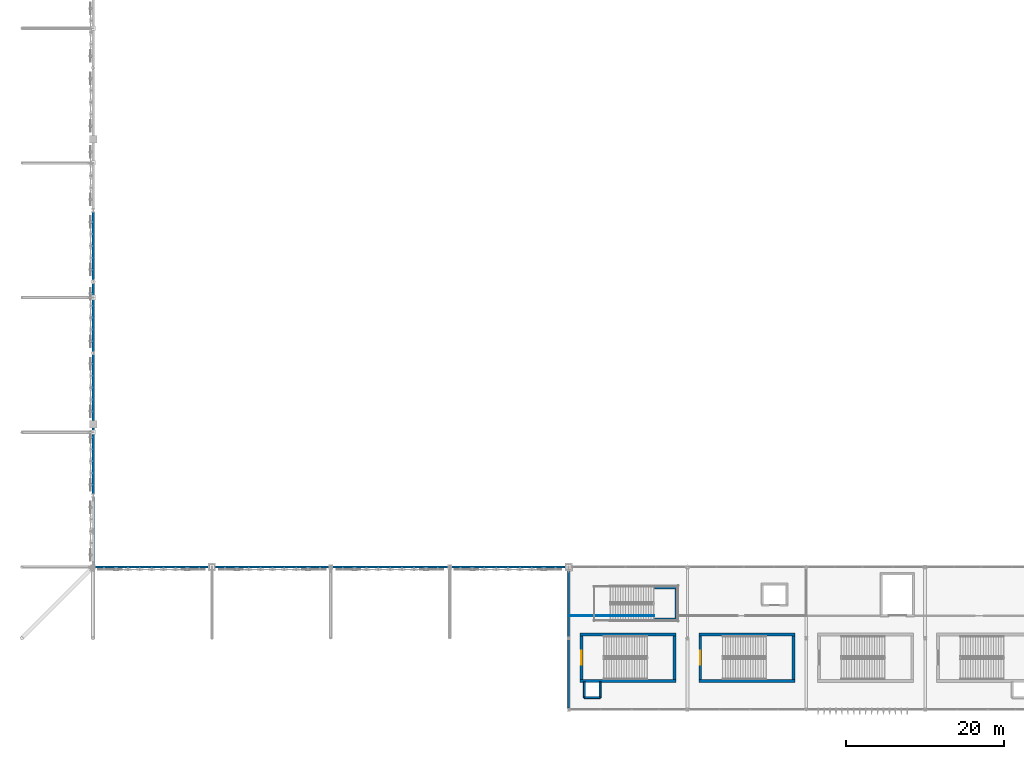
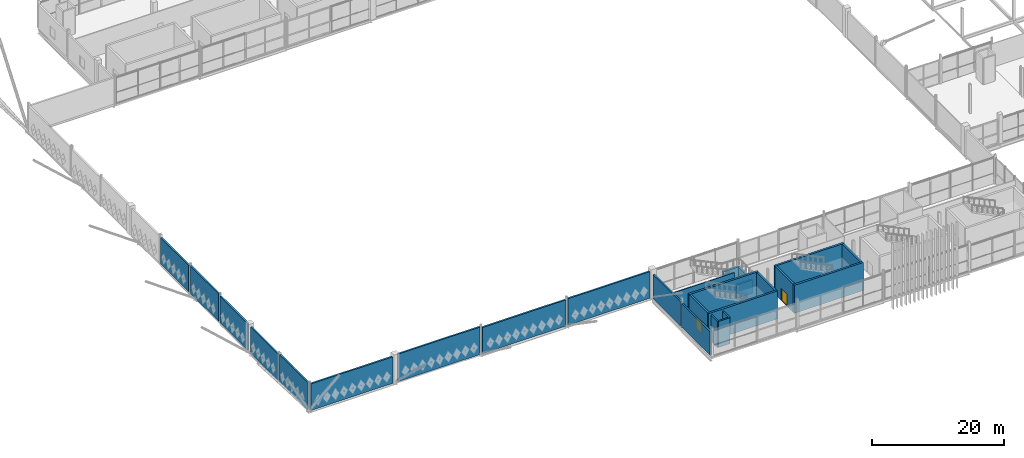
# One storey, part 86 of 119: 26 walls, 2 doors, 2 openings.
"""IFC4 building model written with IfcOpenShell, lengths in metres."""

from ifc_helpers import new_model, si_unit, direction, frame, frame_2d, origin, place, context, subcontext, project, spatial, rectangle, extrude, material, layer, layer_set, type_object, element, fill, save


model = new_model("IFC4")

# Units and contexts
model_context = context("Model", 3, precision=1e-05, world=origin(), true_north=direction((0.0, 1.0)))
body_context = subcontext(model_context, "Body", "Model", "MODEL_VIEW")
ifc_project = project(units=[si_unit("LENGTHUNIT", "METRE"), si_unit("AREAUNIT", "SQUARE_METRE"), si_unit("VOLUMEUNIT", "CUBIC_METRE"), si_unit("PLANEANGLEUNIT", "RADIAN"), si_unit("MASSUNIT", "GRAM", prefix="KILO")], contexts=[model_context])

# Site, building, storey
site_placement = place(None, origin())
site = spatial("IfcSite", under=ifc_project, at=site_placement, CompositionType="ELEMENT")
building_placement = place(site_placement, origin())
building = spatial("IfcBuilding", under=site, at=building_placement, Name="Qamarlyn Nura Convention Centre", CompositionType="ELEMENT")
storey_placement = place(building_placement, frame((0.0, 0.0, 5.39990234375)))
storey = spatial("IfcBuildingStorey", under=building, at=storey_placement, Name="L01", CompositionType="ELEMENT", Elevation=5.39990234375)

# Walls
ifc_material_1 = material(Name="Concrete C50/60", Category="concrete")
ifc_layer_1 = layer(ifc_material_1, 0.35009765625, Name="WT-CORE-350")
ifc_layer_set_1 = layer_set([ifc_layer_1], Name="Concrete C50/60")
wall_type_1 = type_object("IfcWallType", Name="WT-CORE-350", PredefinedType="SHEAR", material=ifc_layer_set_1)
for number, where, z_axis, x_axis, name in (
    (1, (61.449951171875, 3.625, 0.0), (0.0, 0.0, 1.0), (1.0, 0.0, 0.0), "L01 stair core shear wall ST-05-S"),
    (2, (73.550048828125, 9.47509765625, 0.0), (0.0, 0.0, 1.0), (-1.0, 0.0, 0.0), "L01 stair core shear wall ST-05-N"),
):
    element("IfcWall", number, at=place(storey_placement, frame(where, z_axis=z_axis, x_axis=x_axis)), inside=storey, type_object=wall_type_1, Name=name, PredefinedType="SHEAR", context=body_context, shape_type="SweptSolid", body=[
        extrude(rectangle(XDim=12.10009765625, YDim=0.35009765625, at=frame_2d((6.050048828125, 0.0))), origin(), (0.0, 0.0, 1.0), 5.18017578125),
    ])

# Wall, opening, door
wall_1_placement = place(storey_placement, frame((61.625, 9.300048828125, 0.0), z_axis=(0.0, 0.0, 1.0), x_axis=(0.0, -1.0, 0.0)))
wall_1 = element("IfcWall", 3, at=wall_1_placement, inside=storey, type_object=wall_type_1, Name="L01 stair core shear wall ST-05-W", PredefinedType="SHEAR", context=body_context, shape_type="SweptSolid", body=[
    extrude(rectangle(XDim=5.5, YDim=0.35009765625, at=frame_2d((2.75, 0.0))), origin(), (0.0, 0.0, 1.0), 5.18017578125),
])
opening_1_placement = place(wall_1_placement, frame((1.85009765625, 0.0, 0.0)))
opening_1 = element("IfcOpeningElement", 4, at=opening_1_placement, cuts=wall_1, Name="Opening DS-015", PredefinedType="OPENING", context=body_context, shape_type="SweptSolid", body=[
    extrude(rectangle(XDim=1.800048828125, YDim=2.199951171875, at=frame_2d((0.89990234375, 1.10009765625))), frame((0.0, 0.18505859375, 0.0), z_axis=(0.0, -1.0, 0.0), x_axis=(1.0, 0.0, 0.0)), (0.0, 0.0, 1.0), 0.3701171875),
])
ifc_material_2 = material(Name="Galvanised fire-rated hollow steel door", Category="steel")
door_type = type_object("IfcDoorType", Name="DR-STAIR-1800", OperationType="DOUBLE_DOOR_SINGLE_SWING", PredefinedType="DOOR", material=ifc_material_2)
door_1_placement = place(opening_1_placement, origin())
door_1 = element("IfcDoor", 5, at=door_1_placement, inside=storey, type_object=door_type, Name="L01 exit stair door ST-05 (DS-015)", OperationType="DOUBLE_DOOR_SINGLE_SWING", OverallHeight=2.199951171875, OverallWidth=1.800048828125, PredefinedType="DOOR", context=body_context, shape_type="SweptSolid", body=[
    extrude(rectangle(XDim=1.800048828125, YDim=2.199951171875, at=frame_2d((0.89990234375, 1.10009765625))), frame((0.0, 0.02490234375, 0.0), z_axis=(0.0, -1.0, 0.0), x_axis=(1.0, 0.0, 0.0)), (0.0, 0.0, 1.0), 0.050048828125),
])
fill(opening_1, door_1)

# Walls
wall_2_placement = place(storey_placement, frame((73.375, 3.800048828125, 0.0), z_axis=(0.0, 0.0, 1.0), x_axis=(0.0, 1.0, 0.0)))
element("IfcWall", 6, at=wall_2_placement, inside=storey, type_object=wall_type_1, Name="L01 stair core shear wall ST-05-E", PredefinedType="SHEAR", context=body_context, shape_type="SweptSolid", body=[
    extrude(rectangle(XDim=5.5, YDim=0.35009765625, at=frame_2d((2.75, 0.0))), origin(), (0.0, 0.0, 1.0), 5.18017578125),
])
for number, where, z_axis, x_axis, name in (
    (7, (76.449951171875, 3.625, 0.0), (0.0, 0.0, 1.0), (1.0, 0.0, 0.0), "L01 stair core shear wall ST-06-S"),
    (8, (88.550048828125, 9.47509765625, 0.0), (0.0, 0.0, 1.0), (-1.0, 0.0, 0.0), "L01 stair core shear wall ST-06-N"),
):
    element("IfcWall", number, at=place(storey_placement, frame(where, z_axis=z_axis, x_axis=x_axis)), inside=storey, type_object=wall_type_1, Name=name, PredefinedType="SHEAR", context=body_context, shape_type="SweptSolid", body=[
        extrude(rectangle(XDim=12.10009765625, YDim=0.35009765625, at=frame_2d((6.050048828125, 0.0))), origin(), (0.0, 0.0, 1.0), 5.18017578125),
    ])

# Wall, opening, door
wall_3_placement = place(storey_placement, frame((76.625, 9.300048828125, 0.0), z_axis=(0.0, 0.0, 1.0), x_axis=(0.0, -1.0, 0.0)))
wall_3 = element("IfcWall", 9, at=wall_3_placement, inside=storey, type_object=wall_type_1, Name="L01 stair core shear wall ST-06-W", PredefinedType="SHEAR", context=body_context, shape_type="SweptSolid", body=[
    extrude(rectangle(XDim=5.5, YDim=0.35009765625, at=frame_2d((2.75, 0.0))), origin(), (0.0, 0.0, 1.0), 5.18017578125),
])
opening_2_placement = place(wall_3_placement, frame((1.85009765625, 0.0, 0.0)))
opening_2 = element("IfcOpeningElement", 10, at=opening_2_placement, cuts=wall_3, Name="Opening DS-019", PredefinedType="OPENING", context=body_context, shape_type="SweptSolid", body=[
    extrude(rectangle(XDim=1.800048828125, YDim=2.199951171875, at=frame_2d((0.89990234375, 1.10009765625))), frame((0.0, 0.18505859375, 0.0), z_axis=(0.0, -1.0, 0.0), x_axis=(1.0, 0.0, 0.0)), (0.0, 0.0, 1.0), 0.3701171875),
])
door_2_placement = place(opening_2_placement, origin())
door_2 = element("IfcDoor", 11, at=door_2_placement, inside=storey, type_object=door_type, Name="L01 exit stair door ST-06 (DS-019)", OperationType="DOUBLE_DOOR_SINGLE_SWING", OverallHeight=2.199951171875, OverallWidth=1.800048828125, PredefinedType="DOOR", context=body_context, shape_type="SweptSolid", body=[
    extrude(rectangle(XDim=1.800048828125, YDim=2.199951171875, at=frame_2d((0.89990234375, 1.10009765625))), frame((0.0, 0.02490234375, 0.0), z_axis=(0.0, -1.0, 0.0), x_axis=(1.0, 0.0, 0.0)), (0.0, 0.0, 1.0), 0.050048828125),
])
fill(opening_2, door_2)

# Walls
wall_4_placement = place(storey_placement, frame((88.375, 3.800048828125, 0.0), z_axis=(0.0, 0.0, 1.0), x_axis=(0.0, 1.0, 0.0)))
element("IfcWall", 12, at=wall_4_placement, inside=storey, type_object=wall_type_1, Name="L01 stair core shear wall ST-06-E", PredefinedType="SHEAR", context=body_context, shape_type="SweptSolid", body=[
    extrude(rectangle(XDim=5.5, YDim=0.35009765625, at=frame_2d((2.75, 0.0))), origin(), (0.0, 0.0, 1.0), 5.18017578125),
])
for number, where, z_axis, x_axis, name in (
    (13, (70.820068359375, 11.39990234375, 0.0), (0.0, 0.0, 1.0), (1.0, 0.0, 0.0), "L01 feature stair support fin wall ST-19-1"),
    (14, (70.820068359375, 15.3798828125, 0.0), (0.0, 0.0, 1.0), (1.0, 0.0, 0.0), "L01 feature stair support fin wall ST-19-2"),
):
    element("IfcWall", number, at=place(storey_placement, frame(where, z_axis=z_axis, x_axis=x_axis)), inside=storey, type_object=wall_type_1, Name=name, PredefinedType="SHEAR", context=body_context, shape_type="SweptSolid", body=[
        extrude(rectangle(XDim=2.800048828125, YDim=0.35009765625, at=frame_2d((1.39990234375, 0.0))), origin(), (0.0, 0.0, 1.0), 2.5),
    ])
wall_5_placement = place(storey_placement, frame((73.6201171875, 11.39990234375, 0.0), z_axis=(0.0, 0.0, 1.0), x_axis=(0.0, 1.0, 0.0)))
element("IfcWall", 15, at=wall_5_placement, inside=storey, type_object=wall_type_1, Name="L01 feature stair support fin wall ST-19-3", PredefinedType="SHEAR", context=body_context, shape_type="SweptSolid", body=[
    extrude(rectangle(XDim=3.97998046875, YDim=0.35009765625, at=frame_2d((1.989990234375, 0.0))), origin(), (0.0, 0.0, 1.0), 2.5),
])
ifc_material_3 = material(Name="Concrete C40/50", Category="concrete")
ifc_layer_2 = layer(ifc_material_3, 0.280029296875, Name="WT-EXT-280")
ifc_layer_set_2 = layer_set([ifc_layer_2], Name="Concrete C40/50")
wall_type_2 = type_object("IfcWallType", Name="WT-EXT-280", PredefinedType="SOLIDWALL", material=ifc_layer_set_2)
wall_6_placement = place(storey_placement, frame((60.0, 0.18603515625, 0.0), z_axis=(0.0, 0.0, 1.0), x_axis=(0.0, 1.0, 0.0)))
element("IfcWall", 16, at=wall_6_placement, inside=storey, type_object=wall_type_2, Name="L01 exterior facade wall WEXT-L01-600-2-600-88", PredefinedType="SOLIDWALL", context=body_context, shape_type="SweptSolid", body=[
    extrude(rectangle(XDim=8.635986328125, YDim=0.280029296875, at=frame_2d((4.31787109375, 0.0))), origin(), (0.0, 0.0, 1.0), 4.39208984375),
])
wall_7_placement = place(storey_placement, frame((60.0, 9.177978515625, 0.0), z_axis=(0.0, 0.0, 1.0), x_axis=(0.0, 1.0, 0.0)))
element("IfcWall", 17, at=wall_7_placement, inside=storey, type_object=wall_type_2, Name="L01 exterior facade wall WEXT-L01-600-92-600-175", PredefinedType="SOLIDWALL", context=body_context, shape_type="SweptSolid", body=[
    extrude(rectangle(XDim=8.346923828125, YDim=0.280029296875, at=frame_2d((4.17333984375, 0.0))), origin(), (0.0, 0.0, 1.0), 4.47021484375),
])
ifc_material_4 = material(Name="Concrete C40/50 with UAE coastal limestone stone facing", Category="masonry")
ifc_layer_3 = layer(ifc_material_4, 0.300048828125, Name="WT-LIME-300")
ifc_layer_set_3 = layer_set([ifc_layer_3], Name="Concrete C40/50 with UAE coastal limestone stone facing")
wall_type_3 = type_object("IfcWallType", Name="WT-LIME-300", PredefinedType="SOLIDWALL", material=ifc_layer_set_3)
wall_8_placement = place(storey_placement, frame((0.0, 18.25390625, 0.0), z_axis=(0.0, 0.0, 1.0), x_axis=(0.0, 1.0, 0.0)))
element("IfcWall", 18, at=wall_8_placement, inside=storey, type_object=wall_type_3, Name="L01 exterior facade wall WEXT-L01-0-183-0-268", PredefinedType="SOLIDWALL", context=body_context, shape_type="SweptSolid", body=[
    extrude(rectangle(XDim=8.53369140625, YDim=0.300048828125, at=frame_2d((4.266845703125, 0.0))), origin(), (0.0, 0.0, 1.0), 5.085205078125),
])
wall_9_placement = place(storey_placement, frame((0.0, 27.21240234375, 0.0), z_axis=(0.0, 0.0, 1.0), x_axis=(0.0, 1.0, 0.0)))
element("IfcWall", 19, at=wall_9_placement, inside=storey, type_object=wall_type_3, Name="L01 exterior facade wall WEXT-L01-0-272-0-355", PredefinedType="SOLIDWALL", context=body_context, shape_type="SweptSolid", body=[
    extrude(rectangle(XDim=8.3125, YDim=0.300048828125, at=frame_2d((4.15625, 0.0))), origin(), (0.0, 0.0, 1.0), 4.84619140625),
])
wall_10_placement = place(storey_placement, frame((0.0, 36.47509765625, 0.0), z_axis=(0.0, 0.0, 1.0), x_axis=(0.0, 1.0, 0.0)))
element("IfcWall", 20, at=wall_10_placement, inside=storey, type_object=wall_type_3, Name="L01 exterior facade wall WEXT-L01-0-365-0-448", PredefinedType="SOLIDWALL", context=body_context, shape_type="SweptSolid", body=[
    extrude(rectangle(XDim=8.32177734375, YDim=0.300048828125, at=frame_2d((4.160888671875, 0.0))), origin(), (0.0, 0.0, 1.0), 4.919189453125),
])
wall_11_placement = place(storey_placement, frame((0.0, 45.203125, 0.0), z_axis=(0.0, 0.0, 1.0), x_axis=(0.0, 1.0, 0.0)))
element("IfcWall", 21, at=wall_11_placement, inside=storey, type_object=wall_type_3, Name="L01 exterior facade wall WEXT-L01-0-452-0-537", PredefinedType="SOLIDWALL", context=body_context, shape_type="SweptSolid", body=[
    extrude(rectangle(XDim=8.54296875, YDim=0.300048828125, at=frame_2d((4.271484375, 0.0))), origin(), (0.0, 0.0, 1.0), 5.085205078125),
])
wall_12_placement = place(storey_placement, frame((0.0, 54.25390625, 0.0), z_axis=(0.0, 0.0, 1.0), x_axis=(0.0, 1.0, 0.0)))
element("IfcWall", 22, at=wall_12_placement, inside=storey, type_object=wall_type_3, Name="L01 exterior facade wall WEXT-L01-0-543-0-628", PredefinedType="SOLIDWALL", context=body_context, shape_type="SweptSolid", body=[
    extrude(rectangle(XDim=8.53369140625, YDim=0.300048828125, at=frame_2d((4.266845703125, 0.0))), origin(), (0.0, 0.0, 1.0), 4.84619140625),
])
wall_13_placement = place(storey_placement, frame((14.52490234375, 18.0, 0.0), z_axis=(0.0, 0.0, 1.0), x_axis=(-1.0, 0.0, 0.0)))
element("IfcWall", 23, at=wall_13_placement, inside=storey, type_object=wall_type_3, Name="L01 exterior facade wall WEXT-L01-145-180-3-180", PredefinedType="SOLIDWALL", context=body_context, shape_type="SweptSolid", body=[
    extrude(rectangle(XDim=14.27099609375, YDim=0.300048828125, at=frame_2d((7.135498046875, 0.0))), origin(), (0.0, 0.0, 1.0), 4.919189453125),
])
wall_14_placement = place(storey_placement, frame((29.796875, 18.0, 0.0), z_axis=(0.0, 0.0, 1.0), x_axis=(-1.0, 0.0, 0.0)))
element("IfcWall", 24, at=wall_14_placement, inside=storey, type_object=wall_type_3, Name="L01 exterior facade wall WEXT-L01-298-180-155-180", PredefinedType="SOLIDWALL", context=body_context, shape_type="SweptSolid", body=[
    extrude(rectangle(XDim=14.32177734375, YDim=0.300048828125, at=frame_2d((7.160888671875, 0.0))), origin(), (0.0, 0.0, 1.0), 5.085205078125),
])
wall_15_placement = place(storey_placement, frame((44.796875, 18.0, 0.0), z_axis=(0.0, 0.0, 1.0), x_axis=(-1.0, 0.0, 0.0)))
element("IfcWall", 25, at=wall_15_placement, inside=storey, type_object=wall_type_3, Name="L01 exterior facade wall WEXT-L01-448-180-302-180", PredefinedType="SOLIDWALL", context=body_context, shape_type="SweptSolid", body=[
    extrude(rectangle(XDim=14.59375, YDim=0.300048828125, at=frame_2d((7.296875, 0.0))), origin(), (0.0, 0.0, 1.0), 4.84619140625),
])
wall_16_placement = place(storey_placement, frame((59.52490234375, 18.0, 0.0), z_axis=(0.0, 0.0, 1.0), x_axis=(-1.0, 0.0, 0.0)))
element("IfcWall", 26, at=wall_16_placement, inside=storey, type_object=wall_type_3, Name="L01 exterior facade wall WEXT-L01-595-180-452-180", PredefinedType="SOLIDWALL", context=body_context, shape_type="SweptSolid", body=[
    extrude(rectangle(XDim=14.32177734375, YDim=0.300048828125, at=frame_2d((7.160888671875, 0.0))), origin(), (0.0, 0.0, 1.0), 4.919189453125),
])
ifc_material_5 = material(Name="Acoustic double-stud gypsum partition")
ifc_layer_4 = layer(ifc_material_5, 0.1201171875, Name="WT-PART-120")
ifc_layer_set_4 = layer_set([ifc_layer_4], Name="Acoustic double-stud gypsum partition")
wall_type_4 = type_object("IfcWallType", Name="WT-PART-120", PredefinedType="PARTITIONING", material=ifc_layer_set_4)
wall_17_placement = place(storey_placement, frame((70.820068359375, 11.840087890625, 0.0), z_axis=(0.0, 0.0, 1.0), x_axis=(-1.0, 0.0, 0.0)))
element("IfcWall", 27, at=wall_17_placement, inside=storey, type_object=wall_type_4, Name="L01 interior partition L01-MEZ-VIEW-3-2", PredefinedType="PARTITIONING", context=body_context, shape_type="SweptSolid", body=[
    extrude(rectangle(XDim=10.68017578125, YDim=0.1201171875, at=frame_2d((5.340087890625, 0.0))), origin(), (0.0, 0.0, 1.0), 4.47021484375),
])
ifc_material_6 = material(Name="Fire-rated acoustic gypsum board and mineral wool EI 120")
ifc_layer_5 = layer(ifc_material_6, 0.25, Name="WT-SHAFT-250")
ifc_layer_set_5 = layer_set([ifc_layer_5], Name="Fire-rated acoustic gypsum board and mineral wool EI 120")
wall_type_5 = type_object("IfcWallType", Name="WT-SHAFT-250", PredefinedType="SOLIDWALL", material=ifc_layer_set_5)
for number, where, z_axis, x_axis, name in (
    (28, (62.0, 1.5, 0.0), (0.0, 0.0, 1.0), (1.0, 0.0, 0.0), "L01 MEP riser shaft wall 16-S"),
    (29, (62.0, 3.5, 0.0), (0.0, 0.0, 1.0), (0.0, -1.0, 0.0), "L01 MEP riser shaft wall 16-W"),
    (30, (64.0, 1.5, 0.0), (0.0, 0.0, 1.0), (0.0, 1.0, 0.0), "L01 MEP riser shaft wall 16-E"),
):
    element("IfcWall", number, at=place(storey_placement, frame(where, z_axis=z_axis, x_axis=x_axis)), inside=storey, type_object=wall_type_5, Name=name, PredefinedType="SOLIDWALL", context=body_context, shape_type="SweptSolid", body=[
        extrude(rectangle(XDim=2.0, YDim=0.25, at=frame_2d((1.0, 0.0))), origin(), (0.0, 0.0, 1.0), 4.81005859375),
    ])

save(model, "model.ifc")
